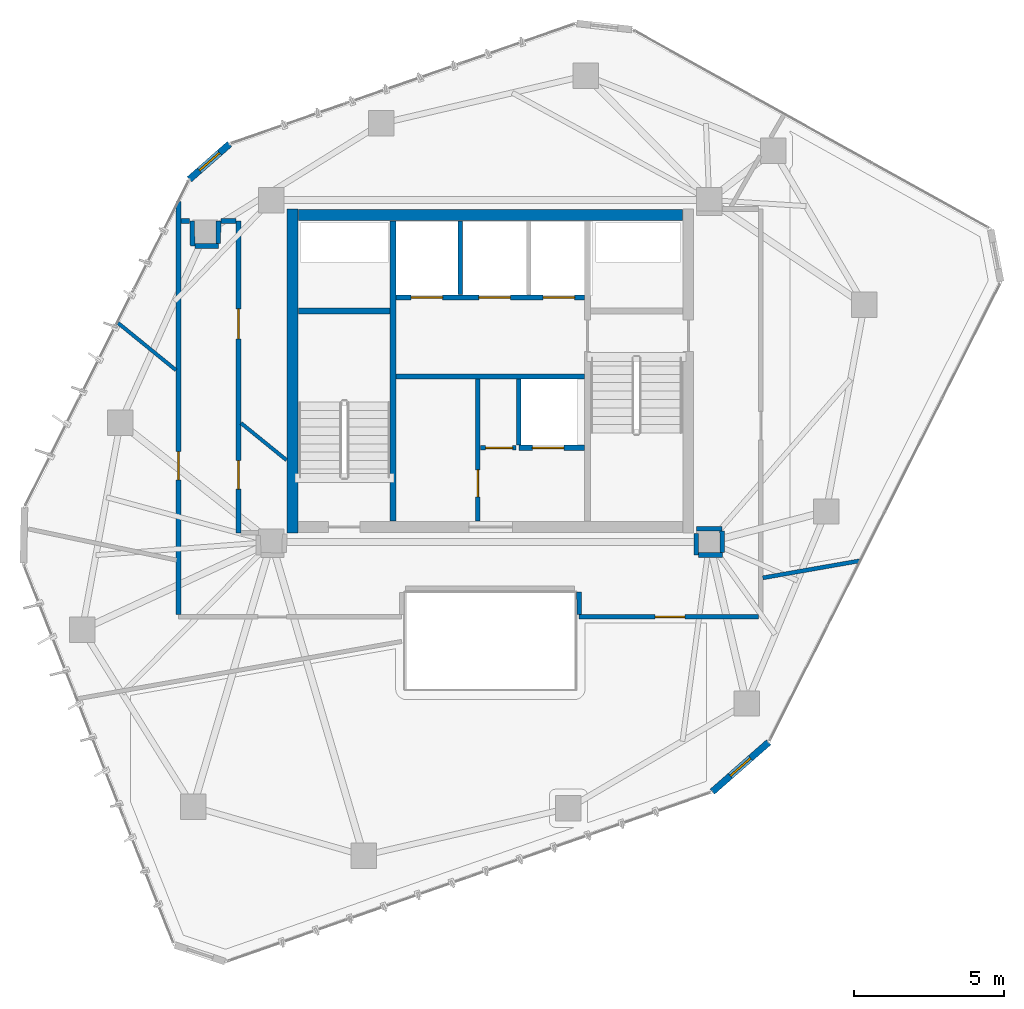
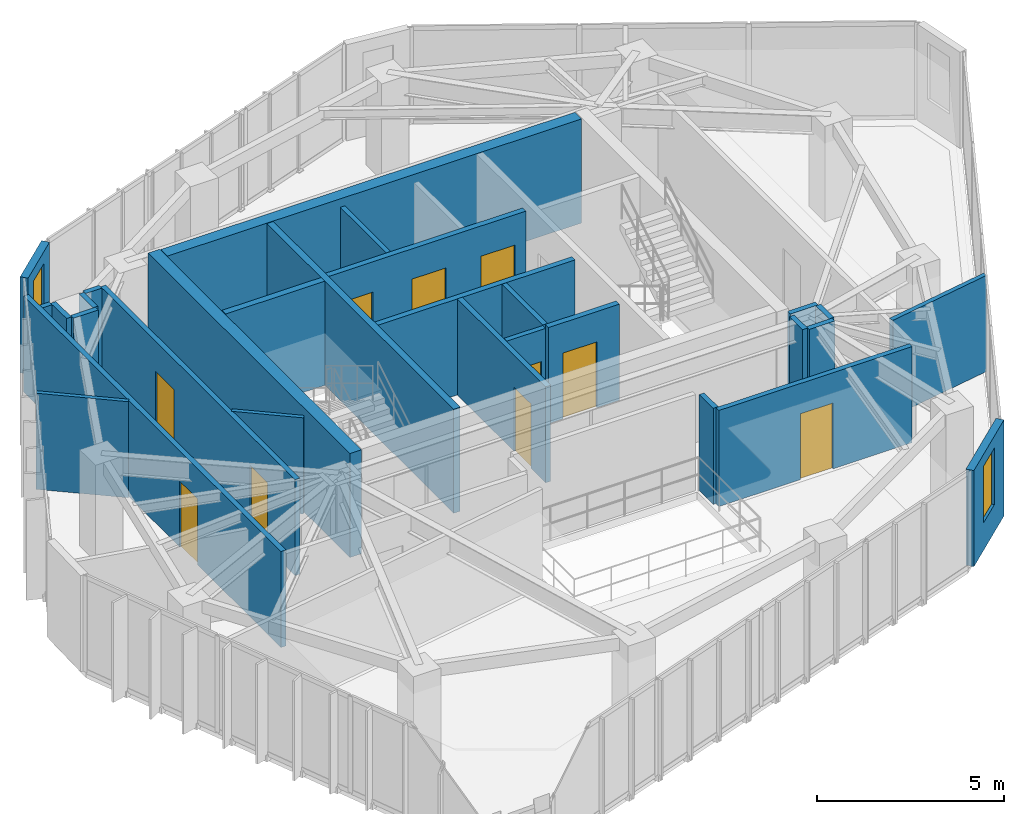
# One storey, part 17 of 20: 29 walls, 10 doors, 2 windows, 12 openings.
"""IFC4 building model written with IfcOpenShell, lengths in metres."""

from ifc_helpers import new_model, si_unit, direction, frame, frame_2d, origin, place, context, subcontext, project, spatial, rectangle, extrude, source, transform, mapped, material, layer, layer_set, type_object, type_shapes, element, fill, save


model = new_model("IFC4")

# Units and contexts
model_context = context("Model", 3, precision=1e-05, world=origin(), true_north=direction((0.0, 1.0)))
body_context = subcontext(model_context, "Body", "Model", "MODEL_VIEW")
ifc_project = project(units=[si_unit("LENGTHUNIT", "METRE"), si_unit("AREAUNIT", "SQUARE_METRE"), si_unit("VOLUMEUNIT", "CUBIC_METRE"), si_unit("PLANEANGLEUNIT", "RADIAN"), si_unit("MASSUNIT", "GRAM", prefix="KILO")], contexts=[model_context])

# Site, building, storey
site_placement = place(None, origin())
site = spatial("IfcSite", under=ifc_project, at=site_placement, CompositionType="ELEMENT")
building_placement = place(site_placement, origin())
building = spatial("IfcBuilding", under=site, at=building_placement, Name="Talar Marvaseh", CompositionType="ELEMENT")
storey_placement = place(building_placement, frame((0.0, 0.0, 285.0)))
storey = spatial("IfcBuildingStorey", under=building, at=storey_placement, Name="L76", CompositionType="ELEMENT", Elevation=285.0)

# Wall, opening, window
ifc_material_1 = material(Name="Precast concrete C45/55", Category="concrete")
ifc_layer_1 = layer(ifc_material_1, 0.22509765625)
ifc_layer_set_1 = layer_set([ifc_layer_1], Name="Precast concrete C45/55")
wall_type_1 = type_object("IfcWallType", Name="Chamfered Hexagonal Corner Pier Wall Z4 225", PredefinedType="SOLIDWALL", material=ifc_layer_set_1)
wall_1_placement = place(storey_placement, frame((15.96337890625, 37.59423828125, 0.0), z_axis=(0.0, 0.0, 1.0), x_axis=(0.751803234222, 0.659387516574, 0.0)))
wall_1 = element("IfcWall", 1, at=wall_1_placement, inside=storey, type_object=wall_type_1, Name="L76 Chamfered Corner Limestone Pier 3", PredefinedType="SOLIDWALL", context=body_context, shape_type="SweptSolid", body=[
    extrude(rectangle(XDim=1.780517578125, YDim=0.22509765625, at=frame_2d((0.89013671875, 0.0))), origin(), (0.0, 0.0, 1.0), 3.139892578125),
])
opening_1_placement = place(wall_1_placement, frame((0.43994140625, 0.0, 0.89990234375)))
opening_1 = element("IfcOpeningElement", 2, at=opening_1_placement, cuts=wall_1, Name="Opening WN-CHM09", PredefinedType="OPENING", context=body_context, shape_type="SweptSolid", body=[
    extrude(rectangle(XDim=0.89990234375, YDim=1.85009765625, at=frame_2d((0.449951171875, 0.925048828125))), frame((0.0, 0.12255859375, 0.0), z_axis=(0.0, -1.0, 0.0), x_axis=(1.0, 0.0, 0.0)), (0.0, 0.0, 1.0), 0.2451171875),
])
ifc_material_2 = material(Name="Laminated Low-E Solar Glass", Category="glass")
window_type = type_object("IfcWindowType", Name="Zone 4 Chamfered Corner Slot Window 900x1850", PartitioningType="SINGLE_PANEL", PredefinedType="WINDOW", material=ifc_material_2)
shared_shape_1 = source(origin(), body_context, "Body", "SweptSolid", [
    extrude(rectangle(XDim=0.89990234375, YDim=1.85009765625, at=frame_2d((0.449951171875, 0.925048828125))), frame((0.0, 0.030029296875, 0.0), z_axis=(0.0, -1.0, 0.0), x_axis=(1.0, 0.0, 0.0)), (0.0, 0.0, 1.0), 0.06005859375),
])
type_shapes(window_type, [shared_shape_1])
window_1_placement = place(opening_1_placement, origin())
window_1 = element("IfcWindow", 3, at=window_1_placement, inside=storey, type_object=window_type, Name="L76 Chamfered Corner Slot Window", OverallHeight=1.85009765625, OverallWidth=0.89990234375, PartitioningType="SINGLE_PANEL", PredefinedType="WINDOW", context=body_context, shape_type="MappedRepresentation", body=[
    mapped(shared_shape_1, transform((0.0, 0.0, 0.0), x_axis=(1.0, 0.0, 0.0), y_axis=(0.0, 1.0, 0.0), z_axis=(0.0, 0.0, 1.0), scale=1.0)),
])
fill(opening_1, window_1)

wall_2_placement = place(storey_placement, frame((35.279541015625, 18.81640625, 0.0), z_axis=(0.0, 0.0, 1.0), x_axis=(-0.751838870343, -0.659346883698, 0.0)))
wall_2 = element("IfcWall", 4, at=wall_2_placement, inside=storey, type_object=wall_type_1, Name="L76 Chamfered Corner Limestone Pier 6", PredefinedType="SOLIDWALL", context=body_context, shape_type="SweptSolid", body=[
    extrude(rectangle(XDim=2.50244140625, YDim=0.22509765625, at=frame_2d((1.251220703125, 0.0))), origin(), (0.0, 0.0, 1.0), 3.139892578125),
])
opening_2_placement = place(wall_2_placement, frame((0.801025390625, 0.0, 0.89990234375)))
opening_2 = element("IfcOpeningElement", 5, at=opening_2_placement, cuts=wall_2, Name="Opening WN-CHM09", PredefinedType="OPENING", context=body_context, shape_type="SweptSolid", body=[
    extrude(rectangle(XDim=0.89990234375, YDim=1.85009765625, at=frame_2d((0.449951171875, 0.925048828125))), frame((0.0, 0.12255859375, 0.0), z_axis=(0.0, -1.0, 0.0), x_axis=(1.0, 0.0, 0.0)), (0.0, 0.0, 1.0), 0.2451171875),
])
window_2_placement = place(opening_2_placement, origin())
window_2 = element("IfcWindow", 6, at=window_2_placement, inside=storey, type_object=window_type, Name="L76 Chamfered Corner Slot Window", OverallHeight=1.85009765625, OverallWidth=0.89990234375, PartitioningType="SINGLE_PANEL", PredefinedType="WINDOW", context=body_context, shape_type="MappedRepresentation", body=[
    mapped(shared_shape_1, transform((0.0, 0.0, 0.0), x_axis=(1.0, 0.0, 0.0), y_axis=(0.0, 1.0, 0.0), z_axis=(0.0, 0.0, 1.0), scale=1.0)),
])
fill(opening_2, window_2)

# Wall, opening, door
ifc_material_3 = material(Name="Gypsum Board Partition Assembly")
ifc_layer_2 = layer(ifc_material_3, 0.155029296875)
ifc_layer_set_2 = layer_set([ifc_layer_2], Name="Gypsum Board Partition Assembly")
wall_type_2 = type_object("IfcWallType", Name="Corridor Fire-Rated Acoustic Partition 155", PredefinedType="PARTITIONING", material=ifc_layer_set_2)
wall_3_placement = place(storey_placement, frame((25.580078125, 26.199951171875, 0.0), z_axis=(0.0, 0.0, 1.0), x_axis=(0.0, 1.0, 0.0)))
wall_3 = element("IfcWall", 7, at=wall_3_placement, inside=storey, type_object=wall_type_2, Name="L76 Core BOH Partition", PredefinedType="PARTITIONING", context=body_context, shape_type="SweptSolid", body=[
    extrude(rectangle(XDim=4.739990234375, YDim=0.155029296875, at=frame_2d((2.3701171875, 0.0))), origin(), (0.0, 0.0, 1.0), 3.139892578125),
])
opening_3_placement = place(wall_3_placement, frame((0.800048828125, 0.0, 0.0)))
opening_3 = element("IfcOpeningElement", 8, at=opening_3_placement, cuts=wall_3, Name="Opening DR-BOH090", PredefinedType="OPENING", context=body_context, shape_type="SweptSolid", body=[
    extrude(rectangle(XDim=0.89990234375, YDim=2.10009765625, at=frame_2d((0.449951171875, 1.050048828125))), frame((0.0, 0.08740234375, 0.0), z_axis=(0.0, -1.0, 0.0), x_axis=(1.0, 0.0, 0.0)), (0.0, 0.0, 1.0), 0.175048828125),
])
ifc_material_4 = material(Name="Fire-Rated Steel Door Leaf", Category="steel")
door_type_1 = type_object("IfcDoorType", Name="Core Back-of-House Service Door 900x2100", OperationType="NOTDEFINED", PredefinedType="DOOR", material=ifc_material_4)
shared_shape_2 = source(origin(), body_context, "Body", "SweptSolid", [
    extrude(rectangle(XDim=0.89990234375, YDim=2.10009765625, at=frame_2d((0.449951171875, 1.050048828125))), frame((0.0, 0.02490234375, 0.0), z_axis=(0.0, -1.0, 0.0), x_axis=(1.0, 0.0, 0.0)), (0.0, 0.0, 1.0), 0.050048828125),
])
type_shapes(door_type_1, [shared_shape_2])
door_1_placement = place(opening_3_placement, origin())
door_1 = element("IfcDoor", 9, at=door_1_placement, inside=storey, type_object=door_type_1, Name="L76 Store Sky Extended Archive Room Door", OperationType="SINGLE_SWING_LEFT", OverallHeight=2.10009765625, OverallWidth=0.89990234375, PredefinedType="DOOR", context=body_context, shape_type="MappedRepresentation", body=[
    mapped(shared_shape_2, transform((0.0, 0.0, 0.0), x_axis=(1.0, 0.0, 0.0), y_axis=(0.0, 1.0, 0.0), z_axis=(0.0, 0.0, 1.0), scale=1.0)),
])
fill(opening_3, door_1)

wall_4_placement = place(storey_placement, frame((25.66357421875, 28.639892578125, 0.0), z_axis=(0.0, 0.0, 1.0), x_axis=(1.0, 0.0, 0.0)))
wall_4 = element("IfcWall", 10, at=wall_4_placement, inside=storey, type_object=wall_type_2, Name="L76 Core BOH Partition", PredefinedType="PARTITIONING", context=body_context, shape_type="SweptSolid", body=[
    extrude(rectangle(XDim=1.196533203125, YDim=0.155029296875, at=frame_2d((0.59814453125, 0.0))), origin(), (0.0, 0.0, 1.0), 3.139892578125),
])
opening_4_placement = place(wall_4_placement, frame((0.179931640625, 0.0, 0.0)))
opening_4 = element("IfcOpeningElement", 11, at=opening_4_placement, cuts=wall_4, Name="Opening DR-BOH090", PredefinedType="OPENING", context=body_context, shape_type="SweptSolid", body=[
    extrude(rectangle(XDim=0.89990234375, YDim=2.10009765625, at=frame_2d((0.449951171875, 1.050048828125))), frame((0.0, 0.08740234375, 0.0), z_axis=(0.0, -1.0, 0.0), x_axis=(1.0, 0.0, 0.0)), (0.0, 0.0, 1.0), 0.175048828125),
])
door_2_placement = place(opening_4_placement, origin())
door_2 = element("IfcDoor", 12, at=door_2_placement, inside=storey, type_object=door_type_1, Name="L76 Cleaner Sky Closet Door", OperationType="SINGLE_SWING_RIGHT", OverallHeight=2.10009765625, OverallWidth=0.89990234375, PredefinedType="DOOR", context=body_context, shape_type="MappedRepresentation", body=[
    mapped(shared_shape_2, transform((0.0, 0.0, 0.0), x_axis=(1.0, 0.0, 0.0), y_axis=(0.0, 1.0, 0.0), z_axis=(0.0, 0.0, 1.0), scale=1.0)),
])
fill(opening_4, door_2)

# Wall, openings, doors
wall_5_placement = place(storey_placement, frame((17.60009765625, 36.199951171875, 0.0), z_axis=(0.0, 0.0, 1.0), x_axis=(0.0, -1.0, 0.0)))
wall_5 = element("IfcWall", 13, at=wall_5_placement, inside=storey, type_object=wall_type_2, Name="L76 Interior Partition Wall", PredefinedType="PARTITIONING", context=body_context, shape_type="SweptSolid", body=[
    extrude(rectangle(XDim=10.39990234375, YDim=0.155029296875, at=frame_2d((5.199951171875, 0.0))), origin(), (0.0, 0.0, 1.0), 3.139892578125),
])
opening_5_placement = place(wall_5_placement, frame((7.989990234375, 0.0, 0.0)))
opening_5 = element("IfcOpeningElement", 14, at=opening_5_placement, cuts=wall_5, Name="Opening DR-WC095", PredefinedType="OPENING", context=body_context, shape_type="SweptSolid", body=[
    extrude(rectangle(XDim=0.949951171875, YDim=2.14990234375, at=frame_2d((0.47509765625, 1.074951171875))), frame((0.0, 0.08740234375, 0.0), z_axis=(0.0, -1.0, 0.0), x_axis=(1.0, 0.0, 0.0)), (0.0, 0.0, 1.0), 0.175048828125),
])
opening_6_placement = place(wall_5_placement, frame((2.92529296875, 0.0, 0.0)))
opening_6 = element("IfcOpeningElement", 15, at=opening_6_placement, cuts=wall_5, Name="Opening DR-RM100", PredefinedType="OPENING", context=body_context, shape_type="SweptSolid", body=[
    extrude(rectangle(XDim=1.0, YDim=2.14990234375, at=frame_2d((0.5, 1.074951171875))), frame((0.0, 0.08740234375, 0.0), z_axis=(0.0, -1.0, 0.0), x_axis=(1.0, 0.0, 0.0)), (0.0, 0.0, 1.0), 0.175048828125),
])
ifc_material_5 = material(Name="Acoustic Engineered Oak Timber", Category="wood")
door_type_2 = type_object("IfcDoorType", Name="Washroom and Service Room Door 950x2150", OperationType="NOTDEFINED", PredefinedType="DOOR", material=ifc_material_5)
shared_shape_3 = source(origin(), body_context, "Body", "SweptSolid", [
    extrude(rectangle(XDim=0.949951171875, YDim=2.14990234375, at=frame_2d((0.47509765625, 1.074951171875))), frame((0.0, 0.02490234375, 0.0), z_axis=(0.0, -1.0, 0.0), x_axis=(1.0, 0.0, 0.0)), (0.0, 0.0, 1.0), 0.050048828125),
])
type_shapes(door_type_2, [shared_shape_3])
door_3_placement = place(opening_5_placement, origin())
door_3 = element("IfcDoor", 16, at=door_3_placement, inside=storey, type_object=door_type_2, Name="L76 WC Public Washrooms Door", OperationType="SINGLE_SWING_LEFT", OverallHeight=2.14990234375, OverallWidth=0.949951171875, PredefinedType="DOOR", context=body_context, shape_type="MappedRepresentation", body=[
    mapped(shared_shape_3, transform((0.0, 0.0, 0.0), x_axis=(1.0, 0.0, 0.0), y_axis=(0.0, 1.0, 0.0), z_axis=(0.0, 0.0, 1.0), scale=1.0)),
])
fill(opening_5, door_3)
door_type_3 = type_object("IfcDoorType", Name="Corridor Fire-Rated Gallery Door 1000x2150", OperationType="NOTDEFINED", PredefinedType="DOOR", material=ifc_material_5)
shared_shape_4 = source(origin(), body_context, "Body", "SweptSolid", [
    extrude(rectangle(XDim=1.0, YDim=2.14990234375, at=frame_2d((0.5, 1.074951171875))), frame((0.0, 0.02490234375, 0.0), z_axis=(0.0, -1.0, 0.0), x_axis=(1.0, 0.0, 0.0)), (0.0, 0.0, 1.0), 0.050048828125),
])
type_shapes(door_type_3, [shared_shape_4])
door_4_placement = place(opening_6_placement, origin())
door_4 = element("IfcDoor", 17, at=door_4_placement, inside=storey, type_object=door_type_3, Name="L76 Registrar Mail and Post Room Door", OperationType="SINGLE_SWING_LEFT", OverallHeight=2.14990234375, OverallWidth=1.0, PredefinedType="DOOR", context=body_context, shape_type="MappedRepresentation", body=[
    mapped(shared_shape_4, transform((0.0, 0.0, 0.0), x_axis=(1.0, 0.0, 0.0), y_axis=(0.0, 1.0, 0.0), z_axis=(0.0, 0.0, 1.0), scale=1.0)),
])
fill(opening_6, door_4)

# Wall, opening, door
wall_6_placement = place(storey_placement, frame((34.9365234375, 23.0, 0.0), z_axis=(0.0, 0.0, 1.0), x_axis=(-1.0, 0.0, 0.0)))
wall_6 = element("IfcWall", 18, at=wall_6_placement, inside=storey, type_object=wall_type_2, Name="L76 Interior Partition Wall", PredefinedType="PARTITIONING", context=body_context, shape_type="SweptSolid", body=[
    extrude(rectangle(XDim=5.9765625, YDim=0.155029296875, at=frame_2d((2.98828125, 0.0))), origin(), (0.0, 0.0, 1.0), 3.139892578125),
])
opening_7_placement = place(wall_6_placement, frame((2.446533203125, 0.0, 0.0)))
opening_7 = element("IfcOpeningElement", 19, at=opening_7_placement, cuts=wall_6, Name="Opening DR-RM100", PredefinedType="OPENING", context=body_context, shape_type="SweptSolid", body=[
    extrude(rectangle(XDim=1.0, YDim=2.14990234375, at=frame_2d((0.5, 1.074951171875))), frame((0.0, 0.08740234375, 0.0), z_axis=(0.0, -1.0, 0.0), x_axis=(1.0, 0.0, 0.0)), (0.0, 0.0, 1.0), 0.175048828125),
])
door_5_placement = place(opening_7_placement, origin())
door_5 = element("IfcDoor", 20, at=door_5_placement, inside=storey, type_object=door_type_3, Name="L76 Curatorial Staff Control Room Door", OperationType="SINGLE_SWING_LEFT", OverallHeight=2.14990234375, OverallWidth=1.0, PredefinedType="DOOR", context=body_context, shape_type="MappedRepresentation", body=[
    mapped(shared_shape_4, transform((0.0, 0.0, 0.0), x_axis=(1.0, 0.0, 0.0), y_axis=(0.0, 1.0, 0.0), z_axis=(0.0, 0.0, 1.0), scale=1.0)),
])
fill(opening_7, door_5)

wall_7_placement = place(storey_placement, frame((15.60009765625, 23.08349609375, 0.0), z_axis=(0.0, 0.0, 1.0), x_axis=(0.0, 1.0, 0.0)))
wall_7 = element("IfcWall", 21, at=wall_7_placement, inside=storey, type_object=wall_type_2, Name="L76 Interior Partition Wall", PredefinedType="PARTITIONING", context=body_context, shape_type="SweptSolid", body=[
    extrude(rectangle(XDim=13.772216796875, YDim=0.155029296875, at=frame_2d((6.88623046875, 0.0))), origin(), (0.0, 0.0, 1.0), 3.139892578125),
])
opening_8_placement = place(wall_7_placement, frame((4.481201171875, 0.0, 0.0)))
opening_8 = element("IfcOpeningElement", 22, at=opening_8_placement, cuts=wall_7, Name="Opening DR-WC095", PredefinedType="OPENING", context=body_context, shape_type="SweptSolid", body=[
    extrude(rectangle(XDim=0.949951171875, YDim=2.14990234375, at=frame_2d((0.47509765625, 1.074951171875))), frame((0.0, 0.08740234375, 0.0), z_axis=(0.0, -1.0, 0.0), x_axis=(1.0, 0.0, 0.0)), (0.0, 0.0, 1.0), 0.175048828125),
])
door_6_placement = place(opening_8_placement, origin())
door_6 = element("IfcDoor", 23, at=door_6_placement, inside=storey, type_object=door_type_2, Name="L76 Accessible WC Door", OperationType="SINGLE_SWING_RIGHT", OverallHeight=2.14990234375, OverallWidth=0.949951171875, PredefinedType="DOOR", context=body_context, shape_type="MappedRepresentation", body=[
    mapped(shared_shape_3, transform((0.0, 0.0, 0.0), x_axis=(1.0, 0.0, 0.0), y_axis=(0.0, 1.0, 0.0), z_axis=(0.0, 0.0, 1.0), scale=1.0)),
])
fill(opening_8, door_6)

# Walls
wall_8_placement = place(storey_placement, frame((16.053955078125, 36.199951171875, 0.0), z_axis=(0.0, 0.0, 1.0), x_axis=(0.018168161375, -0.999834945335, 0.0)))
element("IfcWall", 24, at=wall_8_placement, inside=storey, type_object=wall_type_2, Name="L76 Interior Partition Wall", PredefinedType="PARTITIONING", context=body_context, shape_type="SweptSolid", body=[
    extrude(rectangle(XDim=0.833251953125, YDim=0.155029296875, at=frame_2d((0.41650390625, 0.0))), origin(), (0.0, 0.0, 1.0), 3.139892578125),
])
wall_9_placement = place(storey_placement, frame((16.152587890625, 35.3671875, 0.0), z_axis=(0.0, 0.0, 1.0), x_axis=(0.999997558852, 0.002209590566, 0.0)))
element("IfcWall", 25, at=wall_9_placement, inside=storey, type_object=wall_type_2, Name="L76 Interior Partition Wall", PredefinedType="PARTITIONING", context=body_context, shape_type="SweptSolid", body=[
    extrude(rectangle(XDim=0.7734375, YDim=0.155029296875, at=frame_2d((0.38671875, 0.0))), origin(), (0.0, 0.0, 1.0), 3.139892578125),
])
wall_10_placement = place(storey_placement, frame((16.927001953125, 35.452392578125, 0.0), z_axis=(0.0, 0.0, 1.0), x_axis=(0.009470509294, 0.999955153721, 0.0)))
element("IfcWall", 26, at=wall_10_placement, inside=storey, type_object=wall_type_2, Name="L76 Interior Partition Wall", PredefinedType="PARTITIONING", context=body_context, shape_type="SweptSolid", body=[
    extrude(rectangle(XDim=0.74755859375, YDim=0.155029296875, at=frame_2d((0.373779296875, 0.0))), origin(), (0.0, 0.0, 1.0), 3.139892578125),
])
wall_11_placement = place(storey_placement, frame((17.017578125, 36.199951171875, 0.0), z_axis=(0.0, 0.0, 1.0), x_axis=(1.0, 0.0, 0.0)))
element("IfcWall", 27, at=wall_11_placement, inside=storey, type_object=wall_type_2, Name="L76 Interior Partition Wall", PredefinedType="PARTITIONING", context=body_context, shape_type="SweptSolid", body=[
    extrude(rectangle(XDim=0.4990234375, YDim=0.155029296875, at=frame_2d((0.24951171875, 0.0))), origin(), (0.0, 0.0, 1.0), 3.139892578125),
])
wall_12_placement = place(storey_placement, frame((28.959716796875, 23.08349609375, 0.0), z_axis=(0.0, 0.0, 1.0), x_axis=(-0.003917697652, 0.999992325793, 0.0)))
element("IfcWall", 28, at=wall_12_placement, inside=storey, type_object=wall_type_2, Name="L76 Interior Partition Wall", PredefinedType="PARTITIONING", context=body_context, shape_type="SweptSolid", body=[
    extrude(rectangle(XDim=0.747802734375, YDim=0.155029296875, at=frame_2d((0.3740234375, 0.0))), origin(), (0.0, 0.0, 1.0), 3.139892578125),
])
wall_13_placement = place(storey_placement, frame((15.68359375, 36.199951171875, 0.0), z_axis=(0.0, 0.0, 1.0), x_axis=(1.0, 0.0, 0.0)))
element("IfcWall", 29, at=wall_13_placement, inside=storey, type_object=wall_type_2, Name="L76 Interior Partition Wall", PredefinedType="PARTITIONING", context=body_context, shape_type="SweptSolid", body=[
    extrude(rectangle(XDim=0.286865234375, YDim=0.155029296875, at=frame_2d((0.1435546875, 0.0))), origin(), (0.0, 0.0, 1.0), 3.139892578125),
])
wall_14_placement = place(storey_placement, frame((33.72509765625, 25.93994140625, 0.0), z_axis=(0.0, 0.0, 1.0), x_axis=(-0.999986790873, -0.005139852152, 0.0)))
element("IfcWall", 30, at=wall_14_placement, inside=storey, type_object=wall_type_2, Name="L76 Interior Partition Wall", PredefinedType="PARTITIONING", context=body_context, shape_type="SweptSolid", body=[
    extrude(rectangle(XDim=0.85498046875, YDim=0.155029296875, at=frame_2d((0.427490234375, 0.0))), origin(), (0.0, 0.0, 1.0), 3.139892578125),
])
wall_15_placement = place(storey_placement, frame((32.864501953125, 25.772705078125, 0.0), z_axis=(0.0, 0.0, 1.0), x_axis=(0.0, -1.0, 0.0)))
element("IfcWall", 31, at=wall_15_placement, inside=storey, type_object=wall_type_2, Name="L76 Interior Partition Wall", PredefinedType="PARTITIONING", context=body_context, shape_type="SweptSolid", body=[
    extrude(rectangle(XDim=0.708251953125, YDim=0.155029296875, at=frame_2d((0.35400390625, 0.0))), origin(), (0.0, 0.0, 1.0), 3.139892578125),
])
wall_16_placement = place(storey_placement, frame((32.947998046875, 25.064453125, 0.0), z_axis=(0.0, 0.0, 1.0), x_axis=(1.0, 0.0, 0.0)))
element("IfcWall", 32, at=wall_16_placement, inside=storey, type_object=wall_type_2, Name="L76 Interior Partition Wall", PredefinedType="PARTITIONING", context=body_context, shape_type="SweptSolid", body=[
    extrude(rectangle(XDim=0.78759765625, YDim=0.155029296875, at=frame_2d((0.393798828125, 0.0))), origin(), (0.0, 0.0, 1.0), 3.139892578125),
])
wall_17_placement = place(storey_placement, frame((33.734619140625, 25.14794921875, 0.0), z_axis=(0.0, 0.0, 1.0), x_axis=(-0.012059770759, 0.99992727832, 0.0)))
element("IfcWall", 33, at=wall_17_placement, inside=storey, type_object=wall_type_2, Name="L76 Interior Partition Wall", PredefinedType="PARTITIONING", context=body_context, shape_type="SweptSolid", body=[
    extrude(rectangle(XDim=0.70849609375, YDim=0.155029296875, at=frame_2d((0.354248046875, 0.0))), origin(), (0.0, 0.0, 1.0), 3.139892578125),
])
ifc_layer_3 = layer(ifc_material_3, 0.1201171875)
ifc_layer_set_3 = layer_set([ifc_layer_3], Name="Gypsum Board Partition Assembly")
wall_type_3 = type_object("IfcWallType", Name="Demountable Studio Room Partition 120", PredefinedType="PARTITIONING", material=ifc_layer_set_3)
wall_18_placement = place(storey_placement, frame((17.68359375, 29.462158203125, 0.0), z_axis=(0.0, 0.0, 1.0), x_axis=(0.77607960029, -0.630634960983, 0.0)))
element("IfcWall", 34, at=wall_18_placement, inside=storey, type_object=wall_type_3, Name="L76 Interior Partition Wall", PredefinedType="PARTITIONING", context=body_context, shape_type="SweptSolid", body=[
    extrude(rectangle(XDim=1.953857421875, YDim=0.1201171875, at=frame_2d((0.97705078125, 0.0))), origin(), (0.0, 0.0, 1.0), 3.139892578125),
])
wall_19_placement = place(storey_placement, frame((15.5166015625, 31.227783203125, 0.0), z_axis=(0.0, 0.0, 1.0), x_axis=(-0.775587596075, 0.631239955021, 0.0)))
element("IfcWall", 35, at=wall_19_placement, inside=storey, type_object=wall_type_3, Name="L76 Interior Partition Wall", PredefinedType="PARTITIONING", context=body_context, shape_type="SweptSolid", body=[
    extrude(rectangle(XDim=2.498046875, YDim=0.1201171875, at=frame_2d((1.2490234375, 0.0))), origin(), (0.0, 0.0, 1.0), 3.139892578125),
])
ifc_layer_4 = layer(ifc_material_1, 0.14501953125)
ifc_layer_set_4 = layer_set([ifc_layer_4], Name="Precast concrete C45/55")
wall_type_4 = type_object("IfcWallType", Name="Fire-Rated Lift Divider Wall 145", PredefinedType="SOLIDWALL", material=ifc_layer_set_4)
wall_20_placement = place(storey_placement, frame((25.0, 33.743408203125, 0.0), z_axis=(0.0, 0.0, 1.0), x_axis=(0.0, 1.0, 0.0)))
element("IfcWall", 36, at=wall_20_placement, inside=storey, type_object=wall_type_4, Name="L76 FFL-1/FFL-2 Divider", PredefinedType="SOLIDWALL", context=body_context, shape_type="SweptSolid", body=[
    extrude(rectangle(XDim=2.45654296875, YDim=0.14501953125, at=frame_2d((1.228271484375, 0.0))), origin(), (0.0, 0.0, 1.0), 3.139892578125),
])
wall_21_placement = place(storey_placement, frame((26.949951171875, 28.7333984375, 0.0), z_axis=(0.0, 0.0, 1.0), x_axis=(0.0, 1.0, 0.0)))
element("IfcWall", 37, at=wall_21_placement, inside=storey, type_object=wall_type_4, Name="L76 PL-H3 West Shaft Wall", PredefinedType="SOLIDWALL", context=body_context, shape_type="SweptSolid", body=[
    extrude(rectangle(XDim=2.193115234375, YDim=0.14501953125, at=frame_2d((1.0966796875, 0.0))), origin(), (0.0, 0.0, 1.0), 3.139892578125),
])

# Wall, openings, doors
ifc_layer_5 = layer(ifc_material_1, 0.175048828125)
ifc_layer_set_5 = layer_set([ifc_layer_5], Name="Precast concrete C45/55")
wall_type_5 = type_object("IfcWallType", Name="Fire-Rated Lift Hoistway Enclosure Wall 175", PredefinedType="SOLIDWALL", material=ifc_layer_set_5)
wall_22_placement = place(storey_placement, frame((22.860107421875, 33.64990234375, 0.0), z_axis=(0.0, 0.0, 1.0), x_axis=(1.0, 0.0, 0.0)))
wall_22 = element("IfcWall", 38, at=wall_22_placement, inside=storey, type_object=wall_type_5, Name="L76 Firefighting and Service Lift Front Wall", PredefinedType="SOLIDWALL", context=body_context, shape_type="SweptSolid", body=[
    extrude(rectangle(XDim=6.27978515625, YDim=0.175048828125, at=frame_2d((3.139892578125, 0.0))), origin(), (0.0, 0.0, 1.0), 3.139892578125),
])
opening_9_placement = place(wall_22_placement, frame((0.5, 0.0, 0.0)))
opening_9 = element("IfcOpeningElement", 39, at=opening_9_placement, cuts=wall_22, Name="Opening LD-FF1", PredefinedType="OPENING", context=body_context, shape_type="SweptSolid", body=[
    extrude(rectangle(XDim=1.050048828125, YDim=2.14990234375, at=frame_2d((0.52490234375, 1.074951171875))), frame((0.0, 0.09765625, 0.0), z_axis=(0.0, -1.0, 0.0), x_axis=(1.0, 0.0, 0.0)), (0.0, 0.0, 1.0), 0.195068359375),
])
opening_10_placement = place(wall_22_placement, frame((2.760009765625, 0.0, 0.0)))
opening_10 = element("IfcOpeningElement", 40, at=opening_10_placement, cuts=wall_22, Name="Opening LD-FF2", PredefinedType="OPENING", context=body_context, shape_type="SweptSolid", body=[
    extrude(rectangle(XDim=1.050048828125, YDim=2.14990234375, at=frame_2d((0.52490234375, 1.074951171875))), frame((0.0, 0.09765625, 0.0), z_axis=(0.0, -1.0, 0.0), x_axis=(1.0, 0.0, 0.0)), (0.0, 0.0, 1.0), 0.195068359375),
])
opening_11_placement = place(wall_22_placement, frame((4.89990234375, 0.0, 0.0)))
opening_11 = element("IfcOpeningElement", 41, at=opening_11_placement, cuts=wall_22, Name="Opening LD-SV1", PredefinedType="OPENING", context=body_context, shape_type="SweptSolid", body=[
    extrude(rectangle(XDim=1.050048828125, YDim=2.14990234375, at=frame_2d((0.52490234375, 1.074951171875))), frame((0.0, 0.09765625, 0.0), z_axis=(0.0, -1.0, 0.0), x_axis=(1.0, 0.0, 0.0)), (0.0, 0.0, 1.0), 0.195068359375),
])
ifc_material_6 = material(Name="Stainless Steel Grade 316", Category="steel")
door_type_4 = type_object("IfcDoorType", Name="Automatic Sliding Lift Landing Door 1050x2150", OperationType="NOTDEFINED", PredefinedType="DOOR", material=ifc_material_6)
shared_shape_5 = source(origin(), body_context, "Body", "SweptSolid", [
    extrude(rectangle(XDim=1.050048828125, YDim=2.14990234375, at=frame_2d((0.52490234375, 1.074951171875))), frame((0.0, 0.02490234375, 0.0), z_axis=(0.0, -1.0, 0.0), x_axis=(1.0, 0.0, 0.0)), (0.0, 0.0, 1.0), 0.050048828125),
])
type_shapes(door_type_4, [shared_shape_5])
door_7_placement = place(opening_9_placement, origin())
door_7 = element("IfcDoor", 42, at=door_7_placement, inside=storey, type_object=door_type_4, Name="L76 Lift FFL-1 Sliding Landing Door", OperationType="SLIDING_TO_LEFT", OverallHeight=2.14990234375, OverallWidth=1.050048828125, PredefinedType="DOOR", context=body_context, shape_type="MappedRepresentation", body=[
    mapped(shared_shape_5, transform((0.0, 0.0, 0.0), x_axis=(1.0, 0.0, 0.0), y_axis=(0.0, 1.0, 0.0), z_axis=(0.0, 0.0, 1.0), scale=1.0)),
])
fill(opening_9, door_7)
door_8_placement = place(opening_10_placement, origin())
door_8 = element("IfcDoor", 43, at=door_8_placement, inside=storey, type_object=door_type_4, Name="L76 Lift FFL-2 Sliding Landing Door", OperationType="SLIDING_TO_LEFT", OverallHeight=2.14990234375, OverallWidth=1.050048828125, PredefinedType="DOOR", context=body_context, shape_type="MappedRepresentation", body=[
    mapped(shared_shape_5, transform((0.0, 0.0, 0.0), x_axis=(1.0, 0.0, 0.0), y_axis=(0.0, 1.0, 0.0), z_axis=(0.0, 0.0, 1.0), scale=1.0)),
])
fill(opening_10, door_8)
door_9_placement = place(opening_11_placement, origin())
door_9 = element("IfcDoor", 44, at=door_9_placement, inside=storey, type_object=door_type_4, Name="L76 Lift SVL-1 Sliding Landing Door", OperationType="SLIDING_TO_LEFT", OverallHeight=2.14990234375, OverallWidth=1.050048828125, PredefinedType="DOOR", context=body_context, shape_type="MappedRepresentation", body=[
    mapped(shared_shape_5, transform((0.0, 0.0, 0.0), x_axis=(1.0, 0.0, 0.0), y_axis=(0.0, 1.0, 0.0), z_axis=(0.0, 0.0, 1.0), scale=1.0)),
])
fill(opening_11, door_9)

# Wall
wall_23_placement = place(storey_placement, frame((22.860107421875, 31.02001953125, 0.0), z_axis=(0.0, 0.0, 1.0), x_axis=(1.0, 0.0, 0.0)))
element("IfcWall", 45, at=wall_23_placement, inside=storey, type_object=wall_type_5, Name="L76 Firefighting Lobby South Smoke Wall", PredefinedType="SOLIDWALL", context=body_context, shape_type="SweptSolid", body=[
    extrude(rectangle(XDim=6.27978515625, YDim=0.175048828125, at=frame_2d((3.139892578125, 0.0))), origin(), (0.0, 0.0, 1.0), 3.139892578125),
])

# Wall, opening, door
wall_24_placement = place(storey_placement, frame((26.949951171875, 28.639892578125, 0.0), z_axis=(0.0, 0.0, 1.0), x_axis=(1.0, 0.0, 0.0)))
wall_24 = element("IfcWall", 46, at=wall_24_placement, inside=storey, type_object=wall_type_5, Name="L76 Sky Express Lift Front Wall", PredefinedType="SOLIDWALL", context=body_context, shape_type="SweptSolid", body=[
    extrude(rectangle(XDim=2.18994140625, YDim=0.175048828125, at=frame_2d((1.094970703125, 0.0))), origin(), (0.0, 0.0, 1.0), 3.139892578125),
])
opening_12_placement = place(wall_24_placement, frame((0.449951171875, 0.0, 0.0)))
opening_12 = element("IfcOpeningElement", 47, at=opening_12_placement, cuts=wall_24, Name="Opening LD-PLH3", PredefinedType="OPENING", context=body_context, shape_type="SweptSolid", body=[
    extrude(rectangle(XDim=1.050048828125, YDim=2.14990234375, at=frame_2d((0.52490234375, 1.074951171875))), frame((0.0, 0.09765625, 0.0), z_axis=(0.0, -1.0, 0.0), x_axis=(1.0, 0.0, 0.0)), (0.0, 0.0, 1.0), 0.195068359375),
])
door_10_placement = place(opening_12_placement, origin())
door_10 = element("IfcDoor", 48, at=door_10_placement, inside=storey, type_object=door_type_4, Name="L76 Lift PL-H3 Sliding Landing Door", OperationType="SLIDING_TO_LEFT", OverallHeight=2.14990234375, OverallWidth=1.050048828125, PredefinedType="DOOR", context=body_context, shape_type="MappedRepresentation", body=[
    mapped(shared_shape_5, transform((0.0, 0.0, 0.0), x_axis=(1.0, 0.0, 0.0), y_axis=(0.0, 1.0, 0.0), z_axis=(0.0, 0.0, 1.0), scale=1.0)),
])
fill(opening_12, door_10)

# Walls
ifc_layer_6 = layer(ifc_material_3, 0.135009765625)
ifc_layer_set_6 = layer_set([ifc_layer_6], Name="Gypsum Board Partition Assembly")
wall_type_6 = type_object("IfcWallType", Name="Gallery High-Acoustic Partition 135", PredefinedType="PARTITIONING", material=ifc_layer_set_6)
wall_25_placement = place(storey_placement, frame((35.083984375, 24.30126953125, 0.0), z_axis=(0.0, 0.0, 1.0), x_axis=(0.984881576576, 0.173228981761, 0.0)))
element("IfcWall", 49, at=wall_25_placement, inside=storey, type_object=wall_type_6, Name="L76 Interior Partition Wall", PredefinedType="PARTITIONING", context=body_context, shape_type="SweptSolid", body=[
    extrude(rectangle(XDim=3.279541015625, YDim=0.135009765625, at=frame_2d((1.6396484375, 0.0))), origin(), (0.0, 0.0, 1.0), 3.139892578125),
])
ifc_material_7 = material(Name="Concrete C50/60", Category="concrete")
ifc_layer_7 = layer(ifc_material_7, 0.199951171875)
ifc_layer_set_7 = layer_set([ifc_layer_7], Name="Concrete C50/60")
wall_type_7 = type_object("IfcWallType", Name="Stair Shaft Structural Concrete Shear Wall 200", PredefinedType="SHEAR", material=ifc_layer_set_7)
wall_26_placement = place(storey_placement, frame((22.760009765625, 26.199951171875, 0.0), z_axis=(0.0, 0.0, 1.0), x_axis=(0.0, 1.0, 0.0)))
element("IfcWall", 50, at=wall_26_placement, inside=storey, type_object=wall_type_7, Name="L76 Core West Stair Shear Wall", PredefinedType="SHEAR", context=body_context, shape_type="SweptSolid", body=[
    extrude(rectangle(XDim=10.0, YDim=0.199951171875, at=frame_2d((5.0, 0.0))), origin(), (0.0, 0.0, 1.0), 3.39990234375),
])
wall_27_placement = place(storey_placement, frame((19.60009765625, 33.199951171875, 0.0), z_axis=(0.0, 0.0, 1.0), x_axis=(1.0, 0.0, 0.0)))
element("IfcWall", 51, at=wall_27_placement, inside=storey, type_object=wall_type_7, Name="L76 Stair ST-1 North Shear Wall", PredefinedType="SHEAR", context=body_context, shape_type="SweptSolid", body=[
    extrude(rectangle(XDim=3.059814453125, YDim=0.199951171875, at=frame_2d((1.52978515625, 0.0))), origin(), (0.0, 0.0, 1.0), 3.39990234375),
])
ifc_layer_8 = layer(ifc_material_7, 0.360107421875)
ifc_layer_set_8 = layer_set([ifc_layer_8], Name="Concrete C50/60")
wall_type_8 = type_object("IfcWallType", Name="Upper Core Reinforced Concrete Shear Wall 360", PredefinedType="SHEAR", material=ifc_layer_set_8)
wall_28_placement = place(storey_placement, frame((19.39990234375, 25.800048828125, 0.0), z_axis=(0.0, 0.0, 1.0), x_axis=(0.0, 1.0, 0.0)))
element("IfcWall", 52, at=wall_28_placement, inside=storey, type_object=wall_type_8, Name="L76 West Core Shear Wall", PredefinedType="SHEAR", context=body_context, shape_type="SweptSolid", body=[
    extrude(rectangle(XDim=10.800048828125, YDim=0.360107421875, at=frame_2d((5.39990234375, 0.0))), origin(), (0.0, 0.0, 1.0), 3.39990234375),
])
wall_29_placement = place(storey_placement, frame((19.60009765625, 36.39990234375, 0.0), z_axis=(0.0, 0.0, 1.0), x_axis=(1.0, 0.0, 0.0)))
element("IfcWall", 53, at=wall_29_placement, inside=storey, type_object=wall_type_8, Name="L76 North Core Shear Wall", PredefinedType="SHEAR", context=body_context, shape_type="SweptSolid", body=[
    extrude(rectangle(XDim=12.7998046875, YDim=0.360107421875, at=frame_2d((6.39990234375, 0.0))), origin(), (0.0, 0.0, 1.0), 3.39990234375),
])

save(model, "model.ifc")
